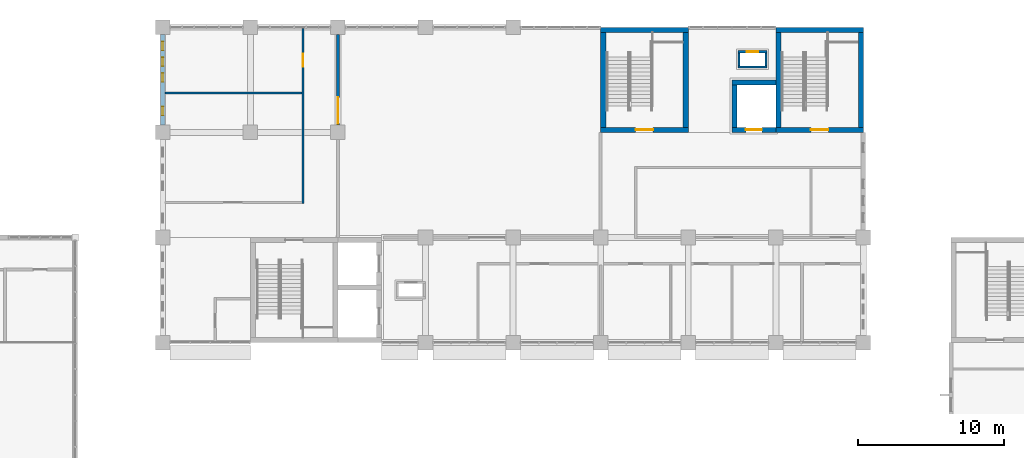
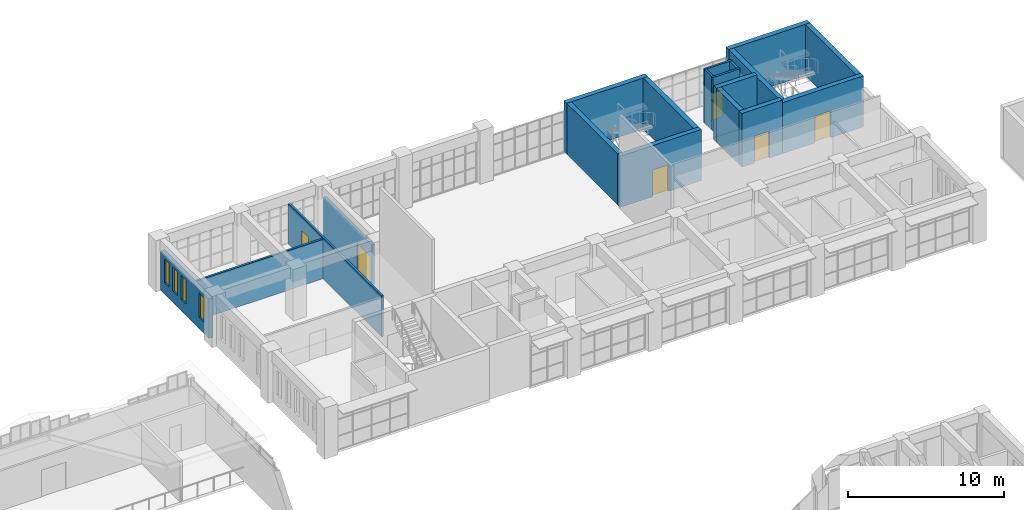
# One storey, part 68 of 92: 19 walls, 6 doors, 4 windows, 10 openings.
"""IFC4 building model written with IfcOpenShell, lengths in metres."""

from ifc_helpers import new_model, si_unit, direction, frame, frame_2d, origin, place, context, subcontext, project, spatial, rectangle, extrude, material, layer, layer_set, type_object, element, fill, save


model = new_model("IFC4")

# Units and contexts
model_context = context("Model", 3, precision=1e-05, world=origin(), true_north=direction((0.0, 1.0)))
body_context = subcontext(model_context, "Body", "Model", "MODEL_VIEW")
ifc_project = project(units=[si_unit("LENGTHUNIT", "METRE"), si_unit("AREAUNIT", "SQUARE_METRE"), si_unit("VOLUMEUNIT", "CUBIC_METRE"), si_unit("PLANEANGLEUNIT", "RADIAN"), si_unit("MASSUNIT", "GRAM", prefix="KILO")], contexts=[model_context])

# Site, building, storey
site_placement = place(None, origin())
site = spatial("IfcSite", under=ifc_project, at=site_placement, CompositionType="ELEMENT")
building_placement = place(site_placement, origin())
building = spatial("IfcBuilding", under=site, at=building_placement, Name="Laocheng Heights Fire and Rescue Headquarters", CompositionType="ELEMENT")
storey_placement = place(building_placement, frame((0.0, 0.0, 12.60009765625)))
storey = spatial("IfcBuildingStorey", under=building, at=storey_placement, Name="L03", CompositionType="ELEMENT", Elevation=12.60009765625)

# Wall, opening, door
ifc_material_1 = material(Name="Gypsum plaster")
ifc_layer_1 = layer(ifc_material_1, 0.010009765625, Name="PLASTER", Category="plaster")
ifc_material_2 = material(Name="Concrete blockwork MU10", Category="masonry")
ifc_layer_2 = layer(ifc_material_2, 0.1298828125, Name="BLOCKWORK", Category="masonry")
ifc_layer_3 = layer(ifc_material_1, 0.010009765625, Name="PLASTER", Category="plaster")
ifc_layer_set_1 = layer_set([ifc_layer_1, ifc_layer_2, ifc_layer_3], Name="Concrete blockwork MU10")
wall_type_1 = type_object("IfcWallType", Name="BLOCKWORK CORRIDOR WALL 150 EI 60 HQ WING", PredefinedType="PARTITIONING", material=ifc_layer_set_1)
wall_1_placement = place(storey_placement, frame((45.60009765625, 59.925048828125, 0.0), z_axis=(0.0, 0.0, 1.0), x_axis=(0.0, 1.0, 0.0)))
wall_1 = element("IfcWall", 1, at=wall_1_placement, inside=storey, type_object=wall_type_1, Name="Partition L03-002", PredefinedType="PARTITIONING", context=body_context, shape_type="SweptSolid", body=[
    extrude(rectangle(XDim=12.0, YDim=0.14990234375, at=frame_2d((6.0, 0.0))), origin(), (0.0, 0.0, 1.0), 3.199951171875),
])
opening_1_placement = place(wall_1_placement, frame((9.375, 0.0, 0.0)))
opening_1 = element("IfcOpeningElement", 2, at=opening_1_placement, cuts=wall_1, Name="Opening L03-Y02", PredefinedType="OPENING", context=body_context, shape_type="SweptSolid", body=[
    extrude(rectangle(XDim=0.89990234375, YDim=2.10009765625, at=frame_2d((0.449951171875, 1.050048828125))), frame((0.0, 0.0849609375, 0.0), z_axis=(0.0, -1.0, 0.0), x_axis=(1.0, 0.0, 0.0)), (0.0, 0.0, 1.0), 0.169921875),
])
ifc_material_3 = material(Name="Timber door leaf, veneered", Category="wood")
door_type_1 = type_object("IfcDoorType", Name="TIMBER DOOR 900x2100 EI 30 HQ WING", OperationType="SINGLE_SWING_LEFT", PredefinedType="DOOR", material=ifc_material_3)
door_1_placement = place(opening_1_placement, origin())
door_1 = element("IfcDoor", 3, at=door_1_placement, inside=storey, type_object=door_type_1, Name="Door L03-Y02", OperationType="SINGLE_SWING_LEFT", OverallHeight=2.10009765625, OverallWidth=0.89990234375, PredefinedType="DOOR", context=body_context, shape_type="SweptSolid", body=[
    extrude(rectangle(XDim=0.89990234375, YDim=2.10009765625, at=frame_2d((0.449951171875, 1.050048828125))), frame((0.0, 0.02490234375, 0.0), z_axis=(0.0, -1.0, 0.0), x_axis=(1.0, 0.0, 0.0)), (0.0, 0.0, 1.0), 0.050048828125),
])
fill(opening_1, door_1)

# Wall
wall_2_placement = place(storey_placement, frame((36.14990234375, 67.5, 0.0), z_axis=(0.0, 0.0, 1.0), x_axis=(1.0, 0.0, 0.0)))
element("IfcWall", 4, at=wall_2_placement, inside=storey, type_object=wall_type_1, Name="Partition L03-024", PredefinedType="PARTITIONING", context=body_context, shape_type="SweptSolid", body=[
    extrude(rectangle(XDim=9.375, YDim=0.14990234375, at=frame_2d((4.6875, 0.0))), origin(), (0.0, 0.0, 1.0), 3.099853515625),
])

# Wall, opening, door
ifc_material_4 = material(Name="Gypsum plaster")
ifc_layer_4 = layer(ifc_material_4, 0.010009765625, Name="PLASTER", Category="plaster")
ifc_material_5 = material(Name="Concrete blockwork MU10", Category="masonry")
ifc_layer_5 = layer(ifc_material_5, 0.179931640625, Name="BLOCKWORK", Category="masonry")
ifc_layer_6 = layer(ifc_material_4, 0.010009765625, Name="PLASTER", Category="plaster")
ifc_layer_set_2 = layer_set([ifc_layer_4, ifc_layer_5, ifc_layer_6], Name="Concrete blockwork MU10")
wall_type_2 = type_object("IfcWallType", Name="BLOCKWORK FIRE PARTITION 200 EI 120 HQ WING", PredefinedType="PARTITIONING", material=ifc_layer_set_2)
wall_3_placement = place(storey_placement, frame((48.0, 65.300048828125, 0.0), z_axis=(0.0, 0.0, 1.0), x_axis=(0.0, 1.0, 0.0)))
wall_3 = element("IfcWall", 5, at=wall_3_placement, inside=storey, type_object=wall_type_2, Name="Partition L03-004", PredefinedType="PARTITIONING", context=body_context, shape_type="SweptSolid", body=[
    extrude(rectangle(XDim=6.199951171875, YDim=0.199951171875, at=frame_2d((3.10009765625, 0.0))), origin(), (0.0, 0.0, 1.0), 3.099853515625),
])
opening_2_placement = place(wall_3_placement, frame((0.10009765625, 0.0, 0.0)))
opening_2 = element("IfcOpeningElement", 6, at=opening_2_placement, cuts=wall_3, Name="Opening L03-Y03", PredefinedType="OPENING", context=body_context, shape_type="SweptSolid", body=[
    extrude(rectangle(XDim=1.800048828125, YDim=2.10009765625, at=frame_2d((0.89990234375, 1.050048828125))), frame((0.0, 0.10986328125, 0.0), z_axis=(0.0, -1.0, 0.0), x_axis=(1.0, 0.0, 0.0)), (0.0, 0.0, 1.0), 0.219970703125),
])
ifc_material_6 = material(Name="Steel door leaf, painted", Category="steel")
door_type_2 = type_object("IfcDoorType", Name="STEEL FIRE DOOR 1800x2100 EI 120 HQ WING", OperationType="DOUBLE_DOOR_SINGLE_SWING", PredefinedType="DOOR", material=ifc_material_6)
door_2_placement = place(opening_2_placement, frame((1.800048828125, 0.0, 0.0), z_axis=(0.0, 0.0, 1.0), x_axis=(-1.0, 0.0, 0.0)))
door_2 = element("IfcDoor", 7, at=door_2_placement, inside=storey, type_object=door_type_2, Name="Door L03-Y03", OperationType="DOUBLE_DOOR_SINGLE_SWING", OverallHeight=2.10009765625, OverallWidth=1.800048828125, PredefinedType="DOOR", context=body_context, shape_type="SweptSolid", body=[
    extrude(rectangle(XDim=1.800048828125, YDim=2.10009765625, at=frame_2d((0.89990234375, 1.050048828125))), frame((0.0, 0.02490234375, 0.0), z_axis=(0.0, -1.0, 0.0), x_axis=(1.0, 0.0, 0.0)), (0.0, 0.0, 1.0), 0.050048828125),
])
fill(opening_2, door_2)

# Wall, openings, windows
ifc_material_7 = material(Name="Precast concrete C40/50", Category="concrete")
ifc_layer_7 = layer(ifc_material_7, 0.300048828125)
ifc_layer_set_3 = layer_set([ifc_layer_7], Name="Precast concrete C40/50")
wall_type_3 = type_object("IfcWallType", Name="PRECAST WALL PANEL 300", PredefinedType="SOLIDWALL", material=ifc_layer_set_3)
wall_4_placement = place(storey_placement, frame((36.0, 65.300048828125, 0.0), z_axis=(0.0, 0.0, 1.0), x_axis=(0.0, 1.0, 0.0)))
wall_4 = element("IfcWall", 8, at=wall_4_placement, inside=storey, type_object=wall_type_3, Name="PRECAST WALL PANEL HQ WEST L03", PredefinedType="SOLIDWALL", context=body_context, shape_type="SweptSolid", body=[
    extrude(rectangle(XDim=6.199951171875, YDim=0.300048828125, at=frame_2d((3.10009765625, 0.0))), origin(), (0.0, 0.0, 1.0), 3.099853515625),
])
opening_3_placement = place(wall_4_placement, frame((0.659912109375, 0.0, 0.89990234375)))
opening_3 = element("IfcOpeningElement", 9, at=opening_3_placement, cuts=wall_4, Name="Opening N1-X", PredefinedType="OPENING", context=body_context, shape_type="SweptSolid", body=[
    extrude(rectangle(XDim=0.60009765625, YDim=1.89990234375, at=frame_2d((0.300048828125, 0.949951171875))), frame((0.0, 0.159912109375, 0.0), z_axis=(0.0, -1.0, 0.0), x_axis=(1.0, 0.0, 0.0)), (0.0, 0.0, 1.0), 0.320068359375),
])
opening_4_placement = place(wall_4_placement, frame((2.9599609375, 0.0, 0.89990234375)))
opening_4 = element("IfcOpeningElement", 10, at=opening_4_placement, cuts=wall_4, Name="Opening N1-X", PredefinedType="OPENING", context=body_context, shape_type="SweptSolid", body=[
    extrude(rectangle(XDim=0.60009765625, YDim=1.89990234375, at=frame_2d((0.300048828125, 0.949951171875))), frame((0.0, 0.159912109375, 0.0), z_axis=(0.0, -1.0, 0.0), x_axis=(1.0, 0.0, 0.0)), (0.0, 0.0, 1.0), 0.320068359375),
])
opening_5_placement = place(wall_4_placement, frame((4.0400390625, 0.0, 0.89990234375)))
opening_5 = element("IfcOpeningElement", 11, at=opening_5_placement, cuts=wall_4, Name="Opening N1-X", PredefinedType="OPENING", context=body_context, shape_type="SweptSolid", body=[
    extrude(rectangle(XDim=0.60009765625, YDim=1.89990234375, at=frame_2d((0.300048828125, 0.949951171875))), frame((0.0, 0.159912109375, 0.0), z_axis=(0.0, -1.0, 0.0), x_axis=(1.0, 0.0, 0.0)), (0.0, 0.0, 1.0), 0.320068359375),
])
opening_6_placement = place(wall_4_placement, frame((5.1201171875, 0.0, 0.89990234375)))
opening_6 = element("IfcOpeningElement", 12, at=opening_6_placement, cuts=wall_4, Name="Opening N1-X", PredefinedType="OPENING", context=body_context, shape_type="SweptSolid", body=[
    extrude(rectangle(XDim=0.60009765625, YDim=1.89990234375, at=frame_2d((0.300048828125, 0.949951171875))), frame((0.0, 0.159912109375, 0.0), z_axis=(0.0, -1.0, 0.0), x_axis=(1.0, 0.0, 0.0)), (0.0, 0.0, 1.0), 0.320068359375),
])
ifc_material_8 = material(Name="Low-e double glazing in aluminium frame", Category="aluminium")
window_type = type_object("IfcWindowType", Name="WINDOW 600 x 1900 HQ END SLOT", PartitioningType="SINGLE_PANEL", PredefinedType="WINDOW", material=ifc_material_8)
window_1_placement = place(opening_3_placement, origin())
window_1 = element("IfcWindow", 13, at=window_1_placement, inside=storey, type_object=window_type, Name="HQ END SLOT HQ WEST L03", OverallHeight=1.89990234375, OverallWidth=0.60009765625, PartitioningType="SINGLE_PANEL", PredefinedType="WINDOW", context=body_context, shape_type="SweptSolid", body=[
    extrude(rectangle(XDim=0.60009765625, YDim=1.89990234375, at=frame_2d((0.300048828125, 0.949951171875))), frame((0.0, 0.030029296875, 0.0), z_axis=(0.0, -1.0, 0.0), x_axis=(1.0, 0.0, 0.0)), (0.0, 0.0, 1.0), 0.06005859375),
])
fill(opening_3, window_1)
window_2_placement = place(opening_4_placement, origin())
window_2 = element("IfcWindow", 14, at=window_2_placement, inside=storey, type_object=window_type, Name="HQ END SLOT HQ WEST L03", OverallHeight=1.89990234375, OverallWidth=0.60009765625, PartitioningType="SINGLE_PANEL", PredefinedType="WINDOW", context=body_context, shape_type="SweptSolid", body=[
    extrude(rectangle(XDim=0.60009765625, YDim=1.89990234375, at=frame_2d((0.300048828125, 0.949951171875))), frame((0.0, 0.030029296875, 0.0), z_axis=(0.0, -1.0, 0.0), x_axis=(1.0, 0.0, 0.0)), (0.0, 0.0, 1.0), 0.06005859375),
])
fill(opening_4, window_2)
window_3_placement = place(opening_5_placement, origin())
window_3 = element("IfcWindow", 15, at=window_3_placement, inside=storey, type_object=window_type, Name="HQ END SLOT HQ WEST L03", OverallHeight=1.89990234375, OverallWidth=0.60009765625, PartitioningType="SINGLE_PANEL", PredefinedType="WINDOW", context=body_context, shape_type="SweptSolid", body=[
    extrude(rectangle(XDim=0.60009765625, YDim=1.89990234375, at=frame_2d((0.300048828125, 0.949951171875))), frame((0.0, 0.030029296875, 0.0), z_axis=(0.0, -1.0, 0.0), x_axis=(1.0, 0.0, 0.0)), (0.0, 0.0, 1.0), 0.06005859375),
])
fill(opening_5, window_3)
window_4_placement = place(opening_6_placement, origin())
window_4 = element("IfcWindow", 16, at=window_4_placement, inside=storey, type_object=window_type, Name="HQ END SLOT HQ WEST L03", OverallHeight=1.89990234375, OverallWidth=0.60009765625, PartitioningType="SINGLE_PANEL", PredefinedType="WINDOW", context=body_context, shape_type="SweptSolid", body=[
    extrude(rectangle(XDim=0.60009765625, YDim=1.89990234375, at=frame_2d((0.300048828125, 0.949951171875))), frame((0.0, 0.030029296875, 0.0), z_axis=(0.0, -1.0, 0.0), x_axis=(1.0, 0.0, 0.0)), (0.0, 0.0, 1.0), 0.06005859375),
])
fill(opening_6, window_4)

# Wall, opening, door
ifc_material_9 = material(Name="Concrete C50", Category="concrete")
ifc_layer_8 = layer(ifc_material_9, 0.35009765625)
ifc_layer_set_4 = layer_set([ifc_layer_8], Name="Concrete C50")
wall_type_4 = type_object("IfcWallType", Name="RC LIFT SHAFT WALL 350", PredefinedType="SHEAR", material=ifc_layer_set_4)
wall_5_placement = place(storey_placement, frame((75.0, 64.97509765625, 0.0), z_axis=(0.0, 0.0, 1.0), x_axis=(1.0, 0.0, 0.0)))
wall_5 = element("IfcWall", 17, at=wall_5_placement, inside=storey, type_object=wall_type_4, Name="Lift shaft wall", PredefinedType="SHEAR", context=body_context, shape_type="SweptSolid", body=[
    extrude(rectangle(XDim=3.0, YDim=0.35009765625, at=frame_2d((1.5, 0.0))), origin(), (0.0, 0.0, 1.0), 4.199951171875),
])
opening_7_placement = place(wall_5_placement, frame((0.949951171875, 0.0, 0.0)))
opening_7 = element("IfcOpeningElement", 18, at=opening_7_placement, cuts=wall_5, Name="Opening L03-K19", PredefinedType="OPENING", context=body_context, shape_type="SweptSolid", body=[
    extrude(rectangle(XDim=1.10009765625, YDim=2.10009765625, at=frame_2d((0.550048828125, 1.050048828125))), frame((0.0, 0.18505859375, 0.0), z_axis=(0.0, -1.0, 0.0), x_axis=(1.0, 0.0, 0.0)), (0.0, 0.0, 1.0), 0.3701171875),
])
ifc_material_10 = material(Name="Stainless steel", Category="steel")
door_type_3 = type_object("IfcDoorType", Name="LANDING DOOR H-L2 SLIDING 1100x2100 E 120", OperationType="DOUBLE_DOOR_SLIDING", PredefinedType="DOOR", material=ifc_material_10)
door_3_placement = place(opening_7_placement, origin())
door_3 = element("IfcDoor", 19, at=door_3_placement, inside=storey, type_object=door_type_3, Name="Landing door H-L2", OperationType="DOUBLE_DOOR_SLIDING", OverallHeight=2.10009765625, OverallWidth=1.10009765625, PredefinedType="DOOR", context=body_context, shape_type="SweptSolid", body=[
    extrude(rectangle(XDim=1.10009765625, YDim=2.10009765625, at=frame_2d((0.550048828125, 1.050048828125))), frame((0.0, 0.02490234375, 0.0), z_axis=(0.0, -1.0, 0.0), x_axis=(1.0, 0.0, 0.0)), (0.0, 0.0, 1.0), 0.050048828125),
])
fill(opening_7, door_3)

# Walls
wall_6_placement = place(storey_placement, frame((75.0, 68.22509765625, 0.0), z_axis=(0.0, 0.0, 1.0), x_axis=(1.0, 0.0, 0.0)))
element("IfcWall", 20, at=wall_6_placement, inside=storey, type_object=wall_type_4, Name="Lift shaft wall", PredefinedType="SHEAR", context=body_context, shape_type="SweptSolid", body=[
    extrude(rectangle(XDim=3.0, YDim=0.35009765625, at=frame_2d((1.5, 0.0))), origin(), (0.0, 0.0, 1.0), 4.199951171875),
])
wall_7_placement = place(storey_placement, frame((75.175048828125, 65.14990234375, 0.0), z_axis=(0.0, 0.0, 1.0), x_axis=(0.0, 1.0, 0.0)))
element("IfcWall", 21, at=wall_7_placement, inside=storey, type_object=wall_type_4, Name="Lift shaft wall", PredefinedType="SHEAR", context=body_context, shape_type="SweptSolid", body=[
    extrude(rectangle(XDim=2.900146484375, YDim=0.35009765625, at=frame_2d((1.4501953125, 0.0))), origin(), (0.0, 0.0, 1.0), 4.199951171875),
])

# Wall, opening, door
ifc_material_11 = material(Name="Concrete C50", Category="concrete")
ifc_layer_9 = layer(ifc_material_11, 0.35009765625)
ifc_layer_set_5 = layer_set([ifc_layer_9], Name="Concrete C50")
wall_type_5 = type_object("IfcWallType", Name="RC STAIR ENCLOSURE WALL 350", PredefinedType="SHEAR", material=ifc_layer_set_5)
wall_8_placement = place(storey_placement, frame((78.0, 64.97509765625, 0.0), z_axis=(0.0, 0.0, 1.0), x_axis=(1.0, 0.0, 0.0)))
wall_8 = element("IfcWall", 22, at=wall_8_placement, inside=storey, type_object=wall_type_5, Name="Stair enclosure wall", PredefinedType="SHEAR", context=body_context, shape_type="SweptSolid", body=[
    extrude(rectangle(XDim=6.0, YDim=0.35009765625, at=frame_2d((3.0, 0.0))), origin(), (0.0, 0.0, 1.0), 4.0),
])
opening_8_placement = place(wall_8_placement, frame((2.39990234375, 0.0, 0.0)))
opening_8 = element("IfcOpeningElement", 23, at=opening_8_placement, cuts=wall_8, Name="Opening L03-K18", PredefinedType="OPENING", context=body_context, shape_type="SweptSolid", body=[
    extrude(rectangle(XDim=1.199951171875, YDim=2.10009765625, at=frame_2d((0.60009765625, 1.050048828125))), frame((0.0, 0.18505859375, 0.0), z_axis=(0.0, -1.0, 0.0), x_axis=(1.0, 0.0, 0.0)), (0.0, 0.0, 1.0), 0.3701171875),
])
ifc_material_12 = material(Name="Painted steel", Category="steel")
door_type_4 = type_object("IfcDoorType", Name="FIRE DOOR 1200x2100 EI 60", OperationType="SINGLE_SWING_LEFT", PredefinedType="DOOR", material=ifc_material_12)
door_4_placement = place(opening_8_placement, origin())
door_4 = element("IfcDoor", 24, at=door_4_placement, inside=storey, type_object=door_type_4, Name="Stair H2 door", OperationType="SINGLE_SWING_LEFT", OverallHeight=2.10009765625, OverallWidth=1.199951171875, PredefinedType="DOOR", context=body_context, shape_type="SweptSolid", body=[
    extrude(rectangle(XDim=1.199951171875, YDim=2.10009765625, at=frame_2d((0.60009765625, 1.050048828125))), frame((0.0, 0.02490234375, 0.0), z_axis=(0.0, -1.0, 0.0), x_axis=(1.0, 0.0, 0.0)), (0.0, 0.0, 1.0), 0.050048828125),
])
fill(opening_8, door_4)

# Walls
wall_9_placement = place(storey_placement, frame((78.0, 71.824951171875, 0.0), z_axis=(0.0, 0.0, 1.0), x_axis=(1.0, 0.0, 0.0)))
element("IfcWall", 25, at=wall_9_placement, inside=storey, type_object=wall_type_5, Name="Stair enclosure wall", PredefinedType="SHEAR", context=body_context, shape_type="SweptSolid", body=[
    extrude(rectangle(XDim=6.0, YDim=0.35009765625, at=frame_2d((3.0, 0.0))), origin(), (0.0, 0.0, 1.0), 4.0),
])
for number, where, z_axis, x_axis, name in (
    (26, (78.175048828125, 65.14990234375, 0.0), (0.0, 0.0, 1.0), (0.0, 1.0, 0.0), "Stair enclosure wall"),
    (27, (83.824951171875, 65.14990234375, 0.0), (0.0, 0.0, 1.0), (0.0, 1.0, 0.0), "Stair enclosure wall"),
):
    element("IfcWall", number, at=place(storey_placement, frame(where, z_axis=z_axis, x_axis=x_axis)), inside=storey, type_object=wall_type_5, Name=name, PredefinedType="SHEAR", context=body_context, shape_type="SweptSolid", body=[
        extrude(rectangle(XDim=6.5, YDim=0.35009765625, at=frame_2d((3.25, 0.0))), origin(), (0.0, 0.0, 1.0), 4.0),
    ])

# Wall, opening, door
wall_10_placement = place(storey_placement, frame((66.0, 64.97509765625, 0.0), z_axis=(0.0, 0.0, 1.0), x_axis=(1.0, 0.0, 0.0)))
wall_10 = element("IfcWall", 28, at=wall_10_placement, inside=storey, type_object=wall_type_5, Name="Stair enclosure wall", PredefinedType="SHEAR", context=body_context, shape_type="SweptSolid", body=[
    extrude(rectangle(XDim=6.0, YDim=0.35009765625, at=frame_2d((3.0, 0.0))), origin(), (0.0, 0.0, 1.0), 4.0),
])
opening_9_placement = place(wall_10_placement, frame((2.39990234375, 0.0, 0.0)))
opening_9 = element("IfcOpeningElement", 29, at=opening_9_placement, cuts=wall_10, Name="Opening L03-K21", PredefinedType="OPENING", context=body_context, shape_type="SweptSolid", body=[
    extrude(rectangle(XDim=1.199951171875, YDim=2.10009765625, at=frame_2d((0.60009765625, 1.050048828125))), frame((0.0, 0.18505859375, 0.0), z_axis=(0.0, -1.0, 0.0), x_axis=(1.0, 0.0, 0.0)), (0.0, 0.0, 1.0), 0.3701171875),
])
door_5_placement = place(opening_9_placement, origin())
door_5 = element("IfcDoor", 30, at=door_5_placement, inside=storey, type_object=door_type_4, Name="Stair H3 door", OperationType="SINGLE_SWING_LEFT", OverallHeight=2.10009765625, OverallWidth=1.199951171875, PredefinedType="DOOR", context=body_context, shape_type="SweptSolid", body=[
    extrude(rectangle(XDim=1.199951171875, YDim=2.10009765625, at=frame_2d((0.60009765625, 1.050048828125))), frame((0.0, 0.02490234375, 0.0), z_axis=(0.0, -1.0, 0.0), x_axis=(1.0, 0.0, 0.0)), (0.0, 0.0, 1.0), 0.050048828125),
])
fill(opening_9, door_5)

# Walls
wall_11_placement = place(storey_placement, frame((66.0, 71.824951171875, 0.0), z_axis=(0.0, 0.0, 1.0), x_axis=(1.0, 0.0, 0.0)))
element("IfcWall", 31, at=wall_11_placement, inside=storey, type_object=wall_type_5, Name="Stair enclosure wall", PredefinedType="SHEAR", context=body_context, shape_type="SweptSolid", body=[
    extrude(rectangle(XDim=6.0, YDim=0.35009765625, at=frame_2d((3.0, 0.0))), origin(), (0.0, 0.0, 1.0), 4.0),
])
for number, where, z_axis, x_axis, name in (
    (32, (66.175048828125, 65.14990234375, 0.0), (0.0, 0.0, 1.0), (0.0, 1.0, 0.0), "Stair enclosure wall"),
    (33, (71.824951171875, 65.14990234375, 0.0), (0.0, 0.0, 1.0), (0.0, 1.0, 0.0), "Stair enclosure wall"),
):
    element("IfcWall", number, at=place(storey_placement, frame(where, z_axis=z_axis, x_axis=x_axis)), inside=storey, type_object=wall_type_5, Name=name, PredefinedType="SHEAR", context=body_context, shape_type="SweptSolid", body=[
        extrude(rectangle(XDim=6.5, YDim=0.35009765625, at=frame_2d((3.25, 0.0))), origin(), (0.0, 0.0, 1.0), 4.0),
    ])
ifc_material_13 = material(Name="Concrete C30", Category="concrete")
ifc_layer_10 = layer(ifc_material_13, 0.14990234375)
ifc_layer_set_6 = layer_set([ifc_layer_10], Name="Concrete C30")
wall_type_6 = type_object("IfcWallType", Name="RISER SHAFT WALL 150", PredefinedType="SOLIDWALL", material=ifc_layer_set_6)
wall_12_placement = place(storey_placement, frame((75.39990234375, 69.27490234375, 0.0), z_axis=(0.0, 0.0, 1.0), x_axis=(1.0, 0.0, 0.0)))
element("IfcWall", 34, at=wall_12_placement, inside=storey, type_object=wall_type_6, Name="Riser shaft wall", PredefinedType="SOLIDWALL", context=body_context, shape_type="SweptSolid", body=[
    extrude(rectangle(XDim=2.0, YDim=0.14990234375, at=frame_2d((1.0, 0.0))), origin(), (0.0, 0.0, 1.0), 4.199951171875),
])

# Wall, opening, door
wall_13_placement = place(storey_placement, frame((75.39990234375, 70.324951171875, 0.0), z_axis=(0.0, 0.0, 1.0), x_axis=(1.0, 0.0, 0.0)))
wall_13 = element("IfcWall", 35, at=wall_13_placement, inside=storey, type_object=wall_type_6, Name="Riser shaft wall", PredefinedType="SOLIDWALL", context=body_context, shape_type="SweptSolid", body=[
    extrude(rectangle(XDim=2.0, YDim=0.14990234375, at=frame_2d((1.0, 0.0))), origin(), (0.0, 0.0, 1.0), 4.199951171875),
])
opening_10_placement = place(wall_13_placement, frame((0.60009765625, 0.0, 0.0)))
opening_10 = element("IfcOpeningElement", 36, at=opening_10_placement, cuts=wall_13, Name="Opening L03-K20", PredefinedType="OPENING", context=body_context, shape_type="SweptSolid", body=[
    extrude(rectangle(XDim=0.800048828125, YDim=2.10009765625, at=frame_2d((0.39990234375, 1.050048828125))), frame((0.0, 0.0849609375, 0.0), z_axis=(0.0, -1.0, 0.0), x_axis=(1.0, 0.0, 0.0)), (0.0, 0.0, 1.0), 0.169921875),
])
ifc_material_14 = material(Name="Painted steel", Category="steel")
door_type_5 = type_object("IfcDoorType", Name="RISER ACCESS DOOR 800x2100 EI 30", OperationType="SINGLE_SWING_LEFT", PredefinedType="DOOR", material=ifc_material_14)
door_6_placement = place(opening_10_placement, frame((0.800048828125, 0.0, 0.0), z_axis=(0.0, 0.0, 1.0), x_axis=(-1.0, 0.0, 0.0)))
door_6 = element("IfcDoor", 37, at=door_6_placement, inside=storey, type_object=door_type_5, Name="Riser RH2 access door", OperationType="SINGLE_SWING_LEFT", OverallHeight=2.10009765625, OverallWidth=0.800048828125, PredefinedType="DOOR", context=body_context, shape_type="SweptSolid", body=[
    extrude(rectangle(XDim=0.800048828125, YDim=2.10009765625, at=frame_2d((0.39990234375, 1.050048828125))), frame((0.0, 0.02490234375, 0.0), z_axis=(0.0, -1.0, 0.0), x_axis=(1.0, 0.0, 0.0)), (0.0, 0.0, 1.0), 0.050048828125),
])
fill(opening_10, door_6)

# Walls
for number, where, z_axis, x_axis, name in (
    (38, (75.47509765625, 69.35009765625, 0.0), (0.0, 0.0, 1.0), (0.0, 1.0, 0.0), "Riser shaft wall"),
    (39, (77.324951171875, 69.35009765625, 0.0), (0.0, 0.0, 1.0), (0.0, 1.0, 0.0), "Riser shaft wall"),
):
    element("IfcWall", number, at=place(storey_placement, frame(where, z_axis=z_axis, x_axis=x_axis)), inside=storey, type_object=wall_type_6, Name=name, PredefinedType="SOLIDWALL", context=body_context, shape_type="SweptSolid", body=[
        extrude(rectangle(XDim=0.89990234375, YDim=0.14990234375, at=frame_2d((0.449951171875, 0.0))), origin(), (0.0, 0.0, 1.0), 4.199951171875),
    ])

save(model, "model.ifc")
